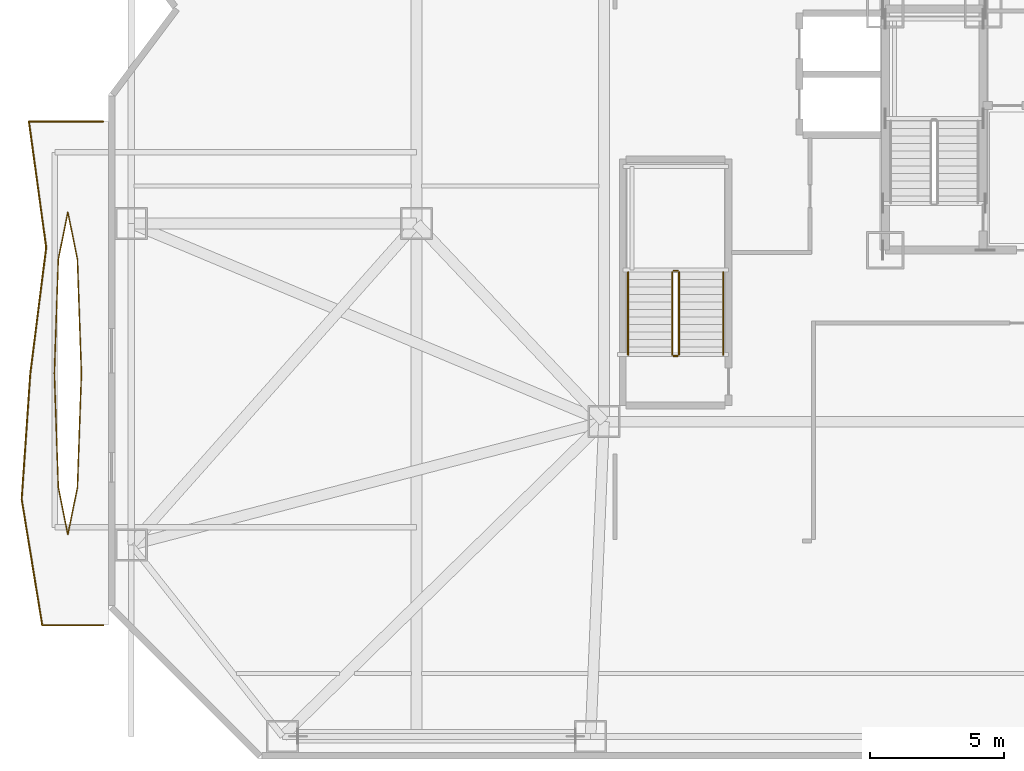
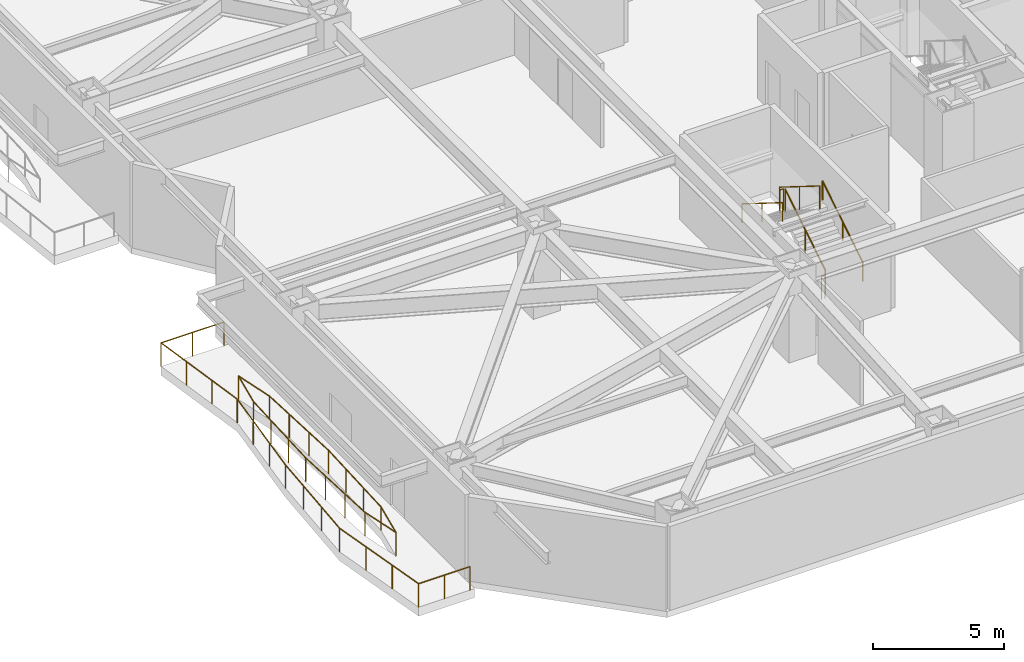
# One storey, part 19 of 24: 10 railings.
"""IFC4 building model written with IfcOpenShell, lengths in metres."""

from ifc_helpers import new_model, si_unit, direction, frame, origin, origin_2d, place, context, subcontext, project, spatial, circle, extrude, material, type_object, element, save


model = new_model("IFC4")

# Units and contexts
model_context = context("Model", 3, precision=1e-05, world=origin(), true_north=direction((0.0, 1.0)))
body_context = subcontext(model_context, "Body", "Model", "MODEL_VIEW")
ifc_project = project(units=[si_unit("LENGTHUNIT", "METRE"), si_unit("AREAUNIT", "SQUARE_METRE"), si_unit("VOLUMEUNIT", "CUBIC_METRE"), si_unit("PLANEANGLEUNIT", "RADIAN"), si_unit("MASSUNIT", "GRAM", prefix="KILO")], contexts=[model_context])

# Site, building, storey
site_placement = place(None, origin())
site = spatial("IfcSite", under=ifc_project, at=site_placement, CompositionType="ELEMENT")
building_placement = place(site_placement, origin())
building = spatial("IfcBuilding", under=site, at=building_placement, Name="Khamvora Tower", CompositionType="ELEMENT")
storey_placement = place(building_placement, frame((0.0, 0.0, 20.39990234375)))
storey = spatial("IfcBuildingStorey", under=building, at=storey_placement, Name="L04", CompositionType="ELEMENT", Elevation=20.39990234375)

# Railings
ifc_material_1 = material(Name="Stainless Steel 316 and Laminated Glass", Category="steel")
railing_type_1 = type_object("IfcRailingType", Name="RAL-GAL-1120", PredefinedType="GUARDRAIL", material=ifc_material_1)
railing_1_placement = place(storey_placement, frame((-0.199951171875, 5.0, 0.0)))
element("IfcRailing", 1, at=railing_1_placement, inside=storey, type_object=railing_type_1, Name="L04 lens gallery south perimeter guardrail WL1", PredefinedType="GUARDRAIL", context=body_context, shape_type="SweptSolid", body=[
    extrude(circle(Radius=0.02392578125, at=origin_2d()), frame((0.0, 0.0, 1.09619140625), z_axis=(-1.0, 0.0, 0.0), x_axis=(0.0, -1.0, 0.0)), (0.0, 0.0, 1.0), 2.27294921875),
    extrude(circle(Radius=0.02392578125, at=origin_2d()), frame((-2.27294921875, 0.0, 1.09619140625), z_axis=(-0.16128068087, 0.986908578328, 0.0), x_axis=(-0.986908578328, -0.16128068087, 0.0)), (0.0, 0.0, 1.0), 4.76220703125),
    extrude(circle(Radius=0.02392578125, at=origin_2d()), frame((-3.041015625, 4.699951171875, 1.09619140625), z_axis=(0.068355663621, 0.997661016203, 0.0), x_axis=(-0.997661016203, 0.068355663621, 0.0)), (0.0, 0.0, 1.0), 4.7109375),
    extrude(circle(Radius=0.02099609375, at=origin_2d()), origin(), (0.0, 0.0, 1.0), 1.072021484375),
    extrude(circle(Radius=0.02099609375, at=origin_2d()), frame((-1.136474609375, 0.0, 0.0)), (0.0, 0.0, 1.0), 1.072021484375),
    extrude(circle(Radius=0.02099609375, at=origin_2d()), frame((-2.27294921875, 0.0, 0.0)), (0.0, 0.0, 1.0), 1.072021484375),
    extrude(circle(Radius=0.02099609375, at=origin_2d()), frame((-2.529052734375, 1.566650390625, 0.0)), (0.0, 0.0, 1.0), 1.072021484375),
    extrude(circle(Radius=0.02099609375, at=origin_2d()), frame((-2.784912109375, 3.13330078125, 0.0)), (0.0, 0.0, 1.0), 1.072021484375),
    extrude(circle(Radius=0.02099609375, at=origin_2d()), frame((-3.041015625, 4.699951171875, 0.0)), (0.0, 0.0, 1.0), 1.072021484375),
    extrude(circle(Radius=0.02099609375, at=origin_2d()), frame((-2.93359375, 6.2666015625, 0.0)), (0.0, 0.0, 1.0), 1.072021484375),
    extrude(circle(Radius=0.02099609375, at=origin_2d()), frame((-2.826416015625, 7.833251953125, 0.0)), (0.0, 0.0, 1.0), 1.072021484375),
    extrude(circle(Radius=0.02099609375, at=origin_2d()), frame((-2.718994140625, 9.39990234375, 0.0)), (0.0, 0.0, 1.0), 1.072021484375),
])
railing_2_placement = place(storey_placement, frame((-2.9189453125, 14.39990234375, 0.0)))
element("IfcRailing", 2, at=railing_2_placement, inside=storey, type_object=railing_type_1, Name="L04 lens gallery north perimeter guardrail WL1", PredefinedType="GUARDRAIL", context=body_context, shape_type="SweptSolid", body=[
    extrude(circle(Radius=0.02392578125, at=origin_2d()), frame((0.0, 0.0, 1.09619140625), z_axis=(0.125176331033, 0.992134510109, 0.0), x_axis=(-0.992134510109, 0.125176331033, 0.0)), (0.0, 0.0, 1.0), 4.737548828125),
    extrude(circle(Radius=0.02392578125, at=origin_2d()), frame((0.593017578125, 4.7001953125, 1.09619140625), z_axis=(-0.135763109555, 0.990741327534, 0.0), x_axis=(-0.990741327534, -0.135763109555, 0.0)), (0.0, 0.0, 1.0), 4.743896484375),
    extrude(circle(Radius=0.02392578125, at=origin_2d()), frame((-0.051025390625, 9.400146484375, 1.09619140625), z_axis=(1.0, 0.0, 0.0), x_axis=(0.0, 1.0, 0.0)), (0.0, 0.0, 1.0), 2.77001953125),
    extrude(circle(Radius=0.02099609375, at=origin_2d()), origin(), (0.0, 0.0, 1.0), 1.072021484375),
    extrude(circle(Radius=0.02099609375, at=origin_2d()), frame((0.19775390625, 1.566650390625, 0.0)), (0.0, 0.0, 1.0), 1.072021484375),
    extrude(circle(Radius=0.02099609375, at=origin_2d()), frame((0.395263671875, 3.133544921875, 0.0)), (0.0, 0.0, 1.0), 1.072021484375),
    extrude(circle(Radius=0.02099609375, at=origin_2d()), frame((0.593017578125, 4.7001953125, 0.0)), (0.0, 0.0, 1.0), 1.072021484375),
    extrude(circle(Radius=0.02099609375, at=origin_2d()), frame((0.37841796875, 6.266845703125, 0.0)), (0.0, 0.0, 1.0), 1.072021484375),
    extrude(circle(Radius=0.02099609375, at=origin_2d()), frame((0.16357421875, 7.83349609375, 0.0)), (0.0, 0.0, 1.0), 1.072021484375),
    extrude(circle(Radius=0.02099609375, at=origin_2d()), frame((-0.051025390625, 9.400146484375, 0.0)), (0.0, 0.0, 1.0), 1.072021484375),
    extrude(circle(Radius=0.02099609375, at=origin_2d()), frame((1.333984375, 9.400146484375, 0.0)), (0.0, 0.0, 1.0), 1.072021484375),
    extrude(circle(Radius=0.02099609375, at=origin_2d()), frame((2.718994140625, 9.400146484375, 0.0)), (0.0, 0.0, 1.0), 1.072021484375),
])
railing_3_placement = place(storey_placement, frame((-1.010986328125, 14.39990234375, 0.0)))
element("IfcRailing", 3, at=railing_3_placement, inside=storey, type_object=railing_type_1, Name="L04 lens gallery void guardrail WL1A", PredefinedType="GUARDRAIL", context=body_context, shape_type="SweptSolid", body=[
    extrude(circle(Radius=0.02392578125, at=origin_2d()), frame((0.0, 0.0, 1.09619140625), z_axis=(-0.034756605959, 0.999395806646, 0.0), x_axis=(-0.999395806646, -0.034756605959, 0.0)), (0.0, 0.0, 1.0), 4.2568359375),
    extrude(circle(Radius=0.02392578125, at=origin_2d()), frame((-0.14794921875, 4.254150390625, 1.09619140625), z_axis=(-0.198022438185, 0.980197487232, 0.0), x_axis=(-0.980197487232, -0.198022438185, 0.0)), (0.0, 0.0, 1.0), 1.797607421875),
    extrude(circle(Radius=0.02392578125, at=origin_2d()), frame((-0.50390625, 6.01611328125, 1.09619140625), z_axis=(-0.198152924969, -0.98017111686, 0.0), x_axis=(0.98017111686, -0.198152924969, 0.0)), (0.0, 0.0, 1.0), 1.797607421875),
    extrude(circle(Radius=0.02392578125, at=origin_2d()), frame((-0.860107421875, 4.254150390625, 1.09619140625), z_axis=(-0.034756605959, -0.999395806646, 0.0), x_axis=(0.999395806646, -0.034756605959, 0.0)), (0.0, 0.0, 1.0), 4.2568359375),
    extrude(circle(Radius=0.02099609375, at=origin_2d()), origin(), (0.0, 0.0, 1.0), 1.072021484375),
    extrude(circle(Radius=0.02099609375, at=origin_2d()), frame((-0.04931640625, 1.41796875, 0.0)), (0.0, 0.0, 1.0), 1.072021484375),
    extrude(circle(Radius=0.02099609375, at=origin_2d()), frame((-0.0986328125, 2.836181640625, 0.0)), (0.0, 0.0, 1.0), 1.072021484375),
    extrude(circle(Radius=0.02099609375, at=origin_2d()), frame((-0.14794921875, 4.254150390625, 0.0)), (0.0, 0.0, 1.0), 1.072021484375),
    extrude(circle(Radius=0.02099609375, at=origin_2d()), frame((-0.50390625, 6.01611328125, 0.0)), (0.0, 0.0, 1.0), 1.072021484375),
    extrude(circle(Radius=0.02099609375, at=origin_2d()), frame((-0.860107421875, 4.254150390625, 0.0)), (0.0, 0.0, 1.0), 1.072021484375),
    extrude(circle(Radius=0.02099609375, at=origin_2d()), frame((-0.909423828125, 2.836181640625, 0.0)), (0.0, 0.0, 1.0), 1.072021484375),
    extrude(circle(Radius=0.02099609375, at=origin_2d()), frame((-0.958740234375, 1.41796875, 0.0)), (0.0, 0.0, 1.0), 1.072021484375),
    extrude(circle(Radius=0.02099609375, at=origin_2d()), frame((-1.008056640625, 0.0, 0.0)), (0.0, 0.0, 1.0), 1.072021484375),
])
railing_4_placement = place(storey_placement, frame((-2.01904296875, 14.39990234375, 0.0)))
element("IfcRailing", 4, at=railing_4_placement, inside=storey, type_object=railing_type_1, Name="L04 lens gallery void guardrail WL1B", PredefinedType="GUARDRAIL", context=body_context, shape_type="SweptSolid", body=[
    extrude(circle(Radius=0.02392578125, at=origin_2d()), frame((0.0, 0.0, 1.09619140625), z_axis=(0.034758598303, -0.999395737355, 0.0), x_axis=(0.999395737355, 0.034758598303, 0.0)), (0.0, 0.0, 1.0), 4.256591796875),
    extrude(circle(Radius=0.02392578125, at=origin_2d()), frame((0.14794921875, -4.25390625, 1.09619140625), z_axis=(0.198152924969, -0.98017111686, 0.0), x_axis=(0.98017111686, 0.198152924969, 0.0)), (0.0, 0.0, 1.0), 1.797607421875),
    extrude(circle(Radius=0.02392578125, at=origin_2d()), frame((0.504150390625, -6.015869140625, 1.09619140625), z_axis=(0.198022438185, 0.980197487232, 0.0), x_axis=(-0.980197487232, 0.198022438185, 0.0)), (0.0, 0.0, 1.0), 1.797607421875),
    extrude(circle(Radius=0.02392578125, at=origin_2d()), frame((0.860107421875, -4.25390625, 1.09619140625), z_axis=(0.034758598303, 0.999395737355, 0.0), x_axis=(-0.999395737355, 0.034758598303, 0.0)), (0.0, 0.0, 1.0), 4.256591796875),
    extrude(circle(Radius=0.02099609375, at=origin_2d()), origin(), (0.0, 0.0, 1.0), 1.072021484375),
    extrude(circle(Radius=0.02099609375, at=origin_2d()), frame((0.04931640625, -1.41796875, 0.0)), (0.0, 0.0, 1.0), 1.072021484375),
    extrude(circle(Radius=0.02099609375, at=origin_2d()), frame((0.0986328125, -2.8359375, 0.0)), (0.0, 0.0, 1.0), 1.072021484375),
    extrude(circle(Radius=0.02099609375, at=origin_2d()), frame((0.14794921875, -4.25390625, 0.0)), (0.0, 0.0, 1.0), 1.072021484375),
    extrude(circle(Radius=0.02099609375, at=origin_2d()), frame((0.504150390625, -6.015869140625, 0.0)), (0.0, 0.0, 1.0), 1.072021484375),
    extrude(circle(Radius=0.02099609375, at=origin_2d()), frame((0.860107421875, -4.25390625, 0.0)), (0.0, 0.0, 1.0), 1.072021484375),
    extrude(circle(Radius=0.02099609375, at=origin_2d()), frame((0.909423828125, -2.8359375, 0.0)), (0.0, 0.0, 1.0), 1.072021484375),
    extrude(circle(Radius=0.02099609375, at=origin_2d()), frame((0.958740234375, -1.41796875, 0.0)), (0.0, 0.0, 1.0), 1.072021484375),
    extrude(circle(Radius=0.02099609375, at=origin_2d()), frame((1.008056640625, 0.0, 0.0)), (0.0, 0.0, 1.0), 1.072021484375),
])
ifc_material_2 = material(Name="Brushed Stainless Steel 316", Category="steel")
railing_type_2 = type_object("IfcRailingType", Name="RAL-HDR-920", PredefinedType="HANDRAIL", material=ifc_material_2)
railing_5_placement = place(storey_placement, frame((22.949951171875, 15.10009765625, 0.175048828125)))
element("IfcRailing", 5, at=railing_5_placement, inside=storey, type_object=railing_type_2, Name="L04 ST-03 stair handrail 1", PredefinedType="HANDRAIL", context=body_context, shape_type="SweptSolid", body=[
    extrude(circle(Radius=0.02392578125, at=origin_2d()), frame((0.0, 0.0, 0.8759765625), z_axis=(0.0, 0.847979421464, 0.530029150871), x_axis=(-1.0, 0.0, 0.0)), (0.0, 0.0, 1.0), 3.632080078125),
    extrude(circle(Radius=0.02099609375, at=origin_2d()), origin(), (0.0, 0.0, 1.0), 0.851806640625),
    extrude(circle(Radius=0.02099609375, at=origin_2d()), frame((0.0, 1.5400390625, 0.96240234375)), (0.0, 0.0, 1.0), 0.851806640625),
    extrude(circle(Radius=0.02099609375, at=origin_2d()), frame((0.0, 3.079833984375, 1.925048828125)), (0.0, 0.0, 1.0), 0.851806640625),
])
railing_6_placement = place(storey_placement, frame((19.39990234375, 18.179931640625, 2.275146484375)))
element("IfcRailing", 6, at=railing_6_placement, inside=storey, type_object=railing_type_2, Name="L04 ST-03 stair handrail 2", PredefinedType="HANDRAIL", context=body_context, shape_type="SweptSolid", body=[
    extrude(circle(Radius=0.02392578125, at=origin_2d()), frame((0.0, 0.0, 0.8759765625), z_axis=(0.0, -0.847979421464, 0.530029150871), x_axis=(1.0, 0.0, 0.0)), (0.0, 0.0, 1.0), 3.632080078125),
    extrude(circle(Radius=0.02099609375, at=origin_2d()), origin(), (0.0, 0.0, 1.0), 0.851806640625),
    extrude(circle(Radius=0.02099609375, at=origin_2d()), frame((0.0, -1.5400390625, 0.96240234375)), (0.0, 0.0, 1.0), 0.851806640625),
    extrude(circle(Radius=0.02099609375, at=origin_2d()), frame((0.0, -3.079833984375, 1.925048828125)), (0.0, 0.0, 1.0), 0.851806640625),
])
ifc_material_3 = material(Name="Stainless Steel 316", Category="steel")
railing_type_3 = type_object("IfcRailingType", Name="RAL-STG-1100", PredefinedType="GUARDRAIL", material=ifc_material_3)
railing_7_placement = place(storey_placement, frame((21.300048828125, 15.10009765625, 0.175048828125)))
element("IfcRailing", 7, at=railing_7_placement, inside=storey, type_object=railing_type_3, Name="L04 ST-03 stair guard 1", PredefinedType="GUARDRAIL", context=body_context, shape_type="SweptSolid", body=[
    extrude(circle(Radius=0.02392578125, at=origin_2d()), frame((0.0, 0.0, 1.076171875), z_axis=(0.0, 0.847979421464, 0.530029150871), x_axis=(-1.0, 0.0, 0.0)), (0.0, 0.0, 1.0), 3.632080078125),
    extrude(circle(Radius=0.02099609375, at=origin_2d()), origin(), (0.0, 0.0, 1.0), 1.052001953125),
    extrude(circle(Radius=0.02099609375, at=origin_2d()), frame((0.0, 1.5400390625, 0.96240234375)), (0.0, 0.0, 1.0), 1.052001953125),
    extrude(circle(Radius=0.02099609375, at=origin_2d()), frame((0.0, 3.079833984375, 1.925048828125)), (0.0, 0.0, 1.0), 1.052001953125),
])
railing_8_placement = place(storey_placement, frame((21.25, 18.22998046875, 2.10009765625)))
element("IfcRailing", 8, at=railing_8_placement, inside=storey, type_object=railing_type_3, Name="L04 ST-03 stair guard 2", PredefinedType="GUARDRAIL", context=body_context, shape_type="SweptSolid", body=[
    extrude(circle(Radius=0.02392578125, at=origin_2d()), frame((0.0, 0.0, 1.076171875), z_axis=(-1.0, 0.0, 0.0), x_axis=(0.0, -1.0, 0.0)), (0.0, 0.0, 1.0), 0.14990234375),
    extrude(circle(Radius=0.02099609375, at=origin_2d()), origin(), (0.0, 0.0, 1.0), 1.052001953125),
    extrude(circle(Radius=0.02099609375, at=origin_2d()), frame((-0.14990234375, 0.0, 0.0)), (0.0, 0.0, 1.0), 1.052001953125),
])
railing_9_placement = place(storey_placement, frame((21.050048828125, 18.179931640625, 2.275146484375)))
element("IfcRailing", 9, at=railing_9_placement, inside=storey, type_object=railing_type_3, Name="L04 ST-03 stair guard 3", PredefinedType="GUARDRAIL", context=body_context, shape_type="SweptSolid", body=[
    extrude(circle(Radius=0.02392578125, at=origin_2d()), frame((0.0, 0.0, 1.076171875), z_axis=(0.0, -0.847979421464, 0.530029150871), x_axis=(1.0, 0.0, 0.0)), (0.0, 0.0, 1.0), 3.632080078125),
    extrude(circle(Radius=0.02099609375, at=origin_2d()), origin(), (0.0, 0.0, 1.0), 1.052001953125),
    extrude(circle(Radius=0.02099609375, at=origin_2d()), frame((0.0, -1.5400390625, 0.96240234375)), (0.0, 0.0, 1.0), 1.052001953125),
    extrude(circle(Radius=0.02099609375, at=origin_2d()), frame((0.0, -3.079833984375, 1.925048828125)), (0.0, 0.0, 1.0), 1.052001953125),
])
railing_10_placement = place(storey_placement, frame((21.25, 15.050048828125, 0.0)))
element("IfcRailing", 10, at=railing_10_placement, inside=storey, type_object=railing_type_3, Name="L04 ST-03 stair guard 4", PredefinedType="GUARDRAIL", context=body_context, shape_type="SweptSolid", body=[
    extrude(circle(Radius=0.02392578125, at=origin_2d()), frame((0.0, 0.0, 1.076171875), z_axis=(-1.0, 0.0, 0.0), x_axis=(0.0, -1.0, 0.0)), (0.0, 0.0, 1.0), 0.14990234375),
    extrude(circle(Radius=0.02099609375, at=origin_2d()), origin(), (0.0, 0.0, 1.0), 1.052001953125),
    extrude(circle(Radius=0.02099609375, at=origin_2d()), frame((-0.14990234375, 0.0, 0.0)), (0.0, 0.0, 1.0), 1.052001953125),
])

save(model, "model.ifc")
